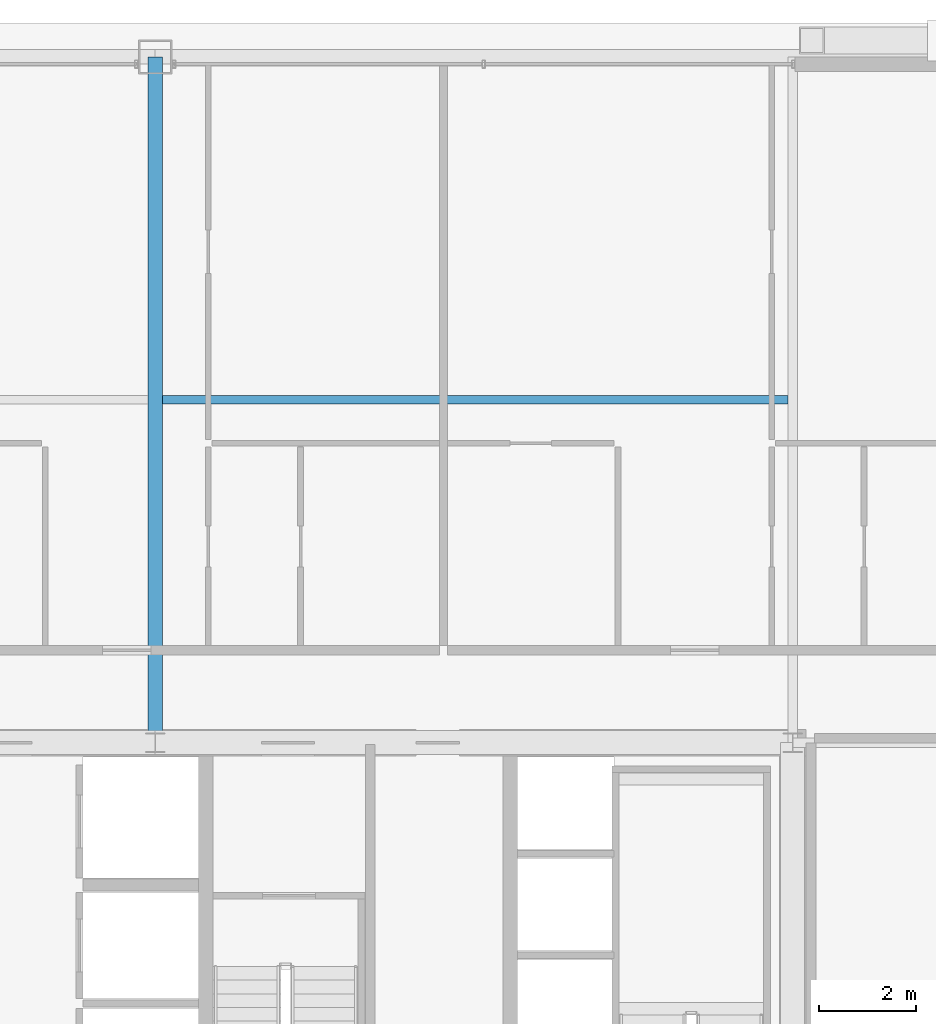
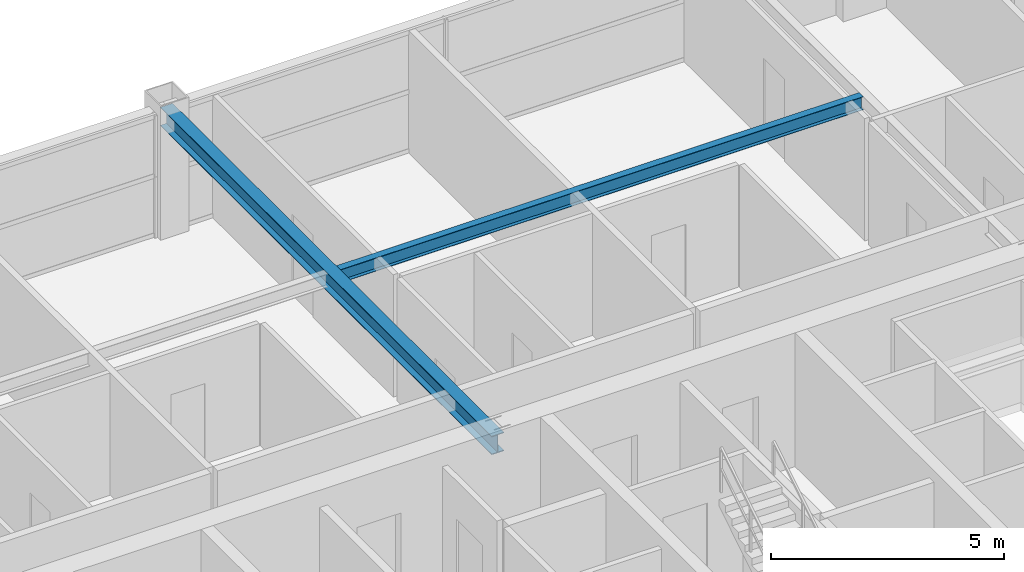
# One storey, part 26 of 36: 2 beams.
"""IFC4 building model written with IfcOpenShell, lengths in metres."""

from ifc_helpers import new_model, si_unit, direction, frame, origin, origin_2d, place, context, subcontext, project, spatial, i_section, extrude, source, transform, mapped, material, material_profile, profile_set, type_object, element, save


model = new_model("IFC4")

# Units and contexts
model_context = context("Model", 3, precision=1e-05, world=origin(), true_north=direction((0.0, 1.0)))
body_context = subcontext(model_context, "Body", "Model", "MODEL_VIEW")
ifc_project = project(units=[si_unit("LENGTHUNIT", "METRE"), si_unit("AREAUNIT", "SQUARE_METRE"), si_unit("VOLUMEUNIT", "CUBIC_METRE"), si_unit("PLANEANGLEUNIT", "RADIAN"), si_unit("MASSUNIT", "GRAM", prefix="KILO"), si_unit("THERMODYNAMICTEMPERATUREUNIT", "KELVIN"), si_unit("POWERUNIT", "WATT")], contexts=[model_context])

# Site, building, storey
site_placement = place(None, origin())
site = spatial("IfcSite", under=ifc_project, at=site_placement, CompositionType="ELEMENT")
building_placement = place(site_placement, origin())
building = spatial("IfcBuilding", under=site, at=building_placement, Name="Yuzanri Waterfront Tower", CompositionType="ELEMENT")
storey_placement = place(building_placement, frame((0.0, 0.0, 255.60009765625)))
storey = spatial("IfcBuildingStorey", under=building, at=storey_placement, Name="L68", CompositionType="ELEMENT", Elevation=255.60009765625)

# Beams
ifc_material_1 = material(Name="Steel Q355B", Category="steel")
ifc_material_profile_1 = material_profile(ifc_material_1, i_section(OverallWidth=0.300048828125, OverallDepth=0.488037109375, WebThickness=0.010986328125, FlangeThickness=0.01806640625, at=origin_2d()), Name="HM 488x300x11x18")
ifc_profile_set_1 = profile_set([ifc_material_profile_1], Name="Steel Q355B")
beam_type_1 = type_object("IfcBeamType", Name="Primary Floor Girder Q355B HM 488x300", PredefinedType="BEAM", material=ifc_profile_set_1)
shared_shape_1 = source(origin(), body_context, "Body", "SweptSolid", [
    extrude(i_section(OverallWidth=0.300048828125, OverallDepth=0.488037109375, WebThickness=0.010986328125, FlangeThickness=0.01806640625, at=origin_2d()), origin(), (0.0, 0.0, 1.0), 14.199951171875),
])
beam_1_placement = place(storey_placement, frame((37.0, 32.199951171875, 2.955810546875), z_axis=(0.0, 1.0, 0.0), x_axis=(-1.0, 0.0, 0.0)))
element("IfcBeam", 1, at=beam_1_placement, inside=storey, type_object=beam_type_1, Name="L68 North Grid Girder", PredefinedType="BEAM", context=body_context, shape_type="MappedRepresentation", body=[
    mapped(shared_shape_1, transform((0.0, 0.0, 0.0), scale=1.0)),
])
ifc_material_2 = material(Name="Steel Q355B", Category="steel")
ifc_material_profile_2 = material_profile(ifc_material_2, i_section(OverallWidth=0.175048828125, OverallDepth=0.35009765625, WebThickness=0.007080078125, FlangeThickness=0.010986328125, at=origin_2d()), Name="HN 350x175x7x11")
ifc_profile_set_2 = profile_set([ifc_material_profile_2], Name="Steel Q355B")
beam_type_2 = type_object("IfcBeamType", Name="Floor Joist Q355B HN 350x175", PredefinedType="JOIST", material=ifc_profile_set_2)
shared_shape_2 = source(origin(), body_context, "Body", "SweptSolid", [
    extrude(i_section(OverallWidth=0.175048828125, OverallDepth=0.35009765625, WebThickness=0.007080078125, FlangeThickness=0.010986328125, at=origin_2d()), origin(), (0.0, 0.0, 1.0), 12.9501953125),
])
beam_2_placement = place(storey_placement, frame((37.14990234375, 39.300048828125, 3.02490234375), z_axis=(1.0, 0.0, 0.0), x_axis=(0.0, 1.0, 0.0)))
element("IfcBeam", 2, at=beam_2_placement, inside=storey, type_object=beam_type_2, Name="L68 North Bay Joist E", PredefinedType="JOIST", context=body_context, shape_type="MappedRepresentation", body=[
    mapped(shared_shape_2, transform((0.0, 0.0, 0.0), scale=1.0)),
])

save(model, "model.ifc")
